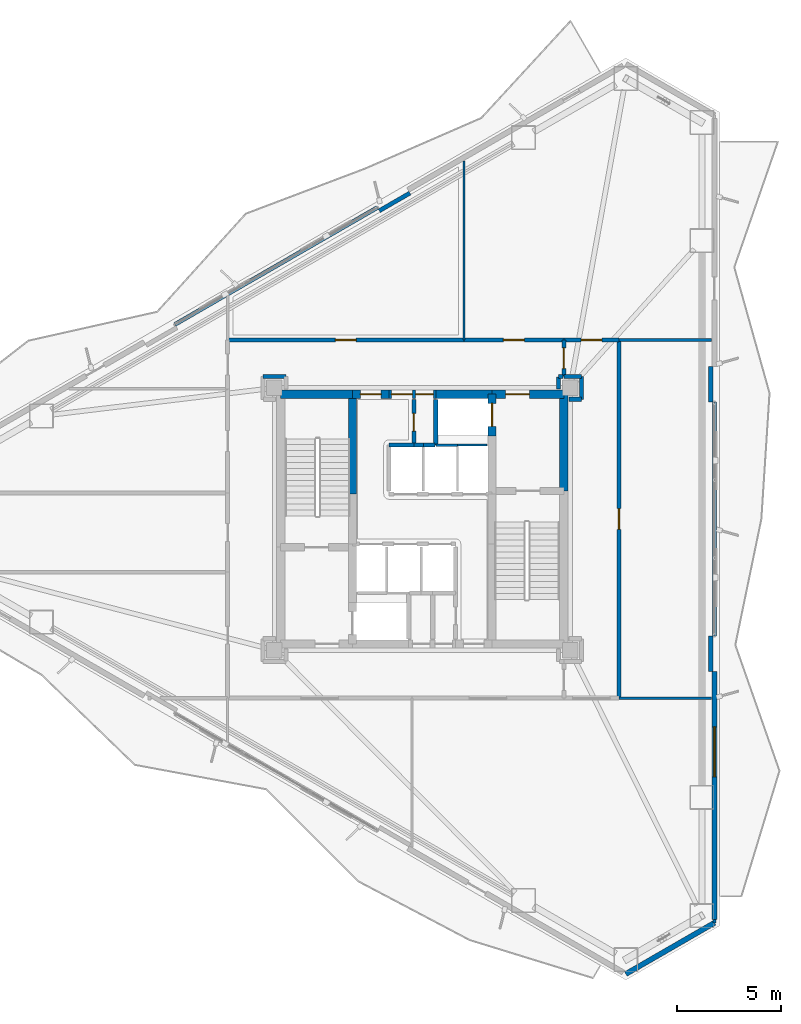
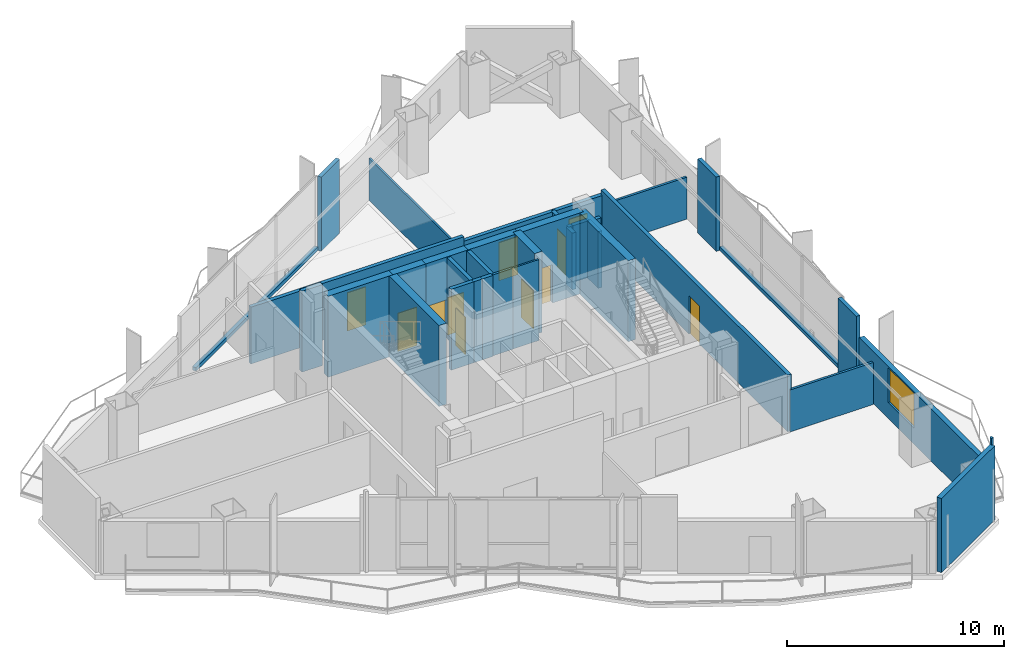
# One storey, part 16 of 20: 37 walls, 11 doors, 1 window, 12 openings.
"""IFC4 building model written with IfcOpenShell, lengths in metres."""

from ifc_helpers import new_model, si_unit, direction, frame, frame_2d, origin, place, context, subcontext, project, spatial, rectangle, extrude, material, layer, layer_set, type_object, element, fill, save


model = new_model("IFC4")

# Units and contexts
model_context = context("Model", 3, precision=1e-05, world=origin(), true_north=direction((0.0, 1.0)))
body_context = subcontext(model_context, "Body", "Model", "MODEL_VIEW")
ifc_project = project(units=[si_unit("LENGTHUNIT", "METRE"), si_unit("AREAUNIT", "SQUARE_METRE"), si_unit("VOLUMEUNIT", "CUBIC_METRE"), si_unit("PLANEANGLEUNIT", "RADIAN"), si_unit("MASSUNIT", "GRAM", prefix="KILO")], contexts=[model_context])

# Site, building, storey
site_placement = place(None, origin())
site = spatial("IfcSite", under=ifc_project, at=site_placement, CompositionType="ELEMENT")
building_placement = place(site_placement, origin())
building = spatial("IfcBuilding", under=site, at=building_placement, Name="Mersakhor Tower and Convention Hall", CompositionType="ELEMENT")
storey_placement = place(building_placement, frame((0.0, 0.0, 116.39990234375)))
storey = spatial("IfcBuildingStorey", under=building, at=storey_placement, Name="L32", CompositionType="ELEMENT", Elevation=116.39990234375)

# Wall
ifc_material_1 = material(Name="Precast concrete C40/50", Category="concrete")
ifc_layer_1 = layer(ifc_material_1, 0.25)
ifc_layer_set_1 = layer_set([ifc_layer_1], Name="Precast concrete C40/50")
wall_type_1 = type_object("IfcWallType", Name="WL-EXT-250", PredefinedType="SOLIDWALL", material=ifc_layer_set_1)
wall_1_placement = place(storey_placement, frame((43.03466796875, 7.355712890625, 0.0), z_axis=(0.0, 0.0, 1.0), x_axis=(-0.866011848704, -0.500023477353, 0.0)))
element("IfcWall", 1, at=wall_1_placement, inside=storey, type_object=wall_type_1, Name="L32 Chamfer Braced Spandrel Wall C2", PredefinedType="SOLIDWALL", context=body_context, shape_type="SweptSolid", body=[
    extrude(rectangle(XDim=4.914306640625, YDim=0.25, at=frame_2d((2.45703125, 0.0))), origin(), (0.0, 0.0, 1.0), 4.18017578125),
])

# Wall, opening, window
wall_2_placement = place(storey_placement, frame((43.03466796875, 19.435302734375, 0.0), z_axis=(0.0, 0.0, 1.0), x_axis=(0.0, -1.0, 0.0)))
wall_2 = element("IfcWall", 2, at=wall_2_placement, inside=storey, type_object=wall_type_1, Name="L32 Exterior Facade Wall F2-B3", PredefinedType="SOLIDWALL", context=body_context, shape_type="SweptSolid", body=[
    extrude(rectangle(XDim=11.9296875, YDim=0.25, at=frame_2d((5.96484375, 0.0))), origin(), (0.0, 0.0, 1.0), 2.945068359375),
])
opening_1_placement = place(wall_2_placement, frame((2.66796875, 0.0, 0.89990234375)))
opening_1 = element("IfcOpeningElement", 3, at=opening_1_placement, cuts=wall_2, Name="Opening W-09", PredefinedType="OPENING", context=body_context, shape_type="SweptSolid", body=[
    extrude(rectangle(XDim=2.39990234375, YDim=1.9599609375, at=frame_2d((1.199951171875, 0.97998046875))), frame((0.0, 0.135009765625, 0.0), z_axis=(0.0, -1.0, 0.0), x_axis=(1.0, 0.0, 0.0)), (0.0, 0.0, 1.0), 0.27001953125),
])
ifc_material_2 = material(Name="Dark solar low-E glazed aluminium window", Category="aluminium")
window_type = type_object("IfcWindowType", Name="WN-COM-240x220", PartitioningType="SINGLE_PANEL", PredefinedType="WINDOW", material=ifc_material_2)
window_placement = place(opening_1_placement, origin())
window = element("IfcWindow", 4, at=window_placement, inside=storey, type_object=window_type, Name="L32 Facade Punched Window F2-B3", OverallHeight=1.9599609375, OverallWidth=2.39990234375, PartitioningType="SINGLE_PANEL", PredefinedType="WINDOW", context=body_context, shape_type="SweptSolid", body=[
    extrude(rectangle(XDim=2.39990234375, YDim=1.9599609375, at=frame_2d((1.199951171875, 0.97998046875))), frame((0.0, 0.030029296875, 0.0), z_axis=(0.0, -1.0, 0.0), x_axis=(1.0, 0.0, 0.0)), (0.0, 0.0, 1.0), 0.06005859375),
])
fill(opening_1, window)

# Walls
ifc_material_3 = material(Name="Precast concrete C40/50", Category="concrete")
ifc_layer_2 = layer(ifc_material_3, 0.199951171875)
ifc_layer_set_2 = layer_set([ifc_layer_2], Name="Precast concrete C40/50")
wall_type_2 = type_object("IfcWallType", Name="WL-PAR-200", PredefinedType="PARAPET", material=ifc_layer_set_2)
wall_3_placement = place(storey_placement, frame((17.1201171875, 36.096923828125, 0.0), z_axis=(0.0, 0.0, 1.0), x_axis=(0.866027010039, 0.499997217876, 0.0)))
element("IfcWall", 5, at=wall_3_placement, inside=storey, type_object=wall_type_2, Name="L32 Curtain Wall Upstand Sill F1-B2", PredefinedType="PARAPET", context=body_context, shape_type="SweptSolid", body=[
    extrude(rectangle(XDim=11.2294921875, YDim=0.199951171875, at=frame_2d((5.61474609375, 0.0))), origin(), (0.0, 0.0, 1.0), 0.2001953125),
])
wall_4_placement = place(storey_placement, frame((26.935302734375, 41.555908203125, 0.0), z_axis=(0.0, 0.0, 1.0), x_axis=(0.86605165483, 0.499954529098, 0.0)))
element("IfcWall", 6, at=wall_4_placement, inside=storey, type_object=wall_type_2, Name="L32 Column Pier Cladding Wall F1-C2", PredefinedType="PARAPET", context=body_context, shape_type="SweptSolid", body=[
    extrude(rectangle(XDim=1.699951171875, YDim=0.199951171875, at=frame_2d((0.85009765625, 0.0))), origin(), (0.0, 0.0, 1.0), 4.18017578125),
])
wall_5_placement = place(storey_placement, frame((43.03466796875, 32.36474609375, 0.0), z_axis=(0.0, 0.0, 1.0), x_axis=(0.0, -1.0, 0.0)))
element("IfcWall", 7, at=wall_5_placement, inside=storey, type_object=wall_type_2, Name="L32 Curtain Wall Upstand Sill F2-B2", PredefinedType="PARAPET", context=body_context, shape_type="SweptSolid", body=[
    extrude(rectangle(XDim=11.2294921875, YDim=0.199951171875, at=frame_2d((5.61474609375, 0.0))), origin(), (0.0, 0.0, 1.0), 0.2001953125),
])
for number, where, z_axis, x_axis, name in (
    (8, (42.8544921875, 34.064697265625, 0.0), (0.0, 0.0, 1.0), (0.0, -1.0, 0.0), "L32 Column Pier Cladding Wall F2-C1"),
    (9, (42.8544921875, 21.13525390625, 0.0), (0.0, 0.0, 1.0), (0.0, -1.0, 0.0), "L32 Column Pier Cladding Wall F2-C2"),
):
    element("IfcWall", number, at=place(storey_placement, frame(where, z_axis=z_axis, x_axis=x_axis)), inside=storey, type_object=wall_type_2, Name=name, PredefinedType="PARAPET", context=body_context, shape_type="SweptSolid", body=[
        extrude(rectangle(XDim=1.699951171875, YDim=0.199951171875, at=frame_2d((0.85009765625, 0.0))), origin(), (0.0, 0.0, 1.0), 4.18017578125),
    ])
ifc_material_4 = material(Name="Lightweight gypsum partition", Category="other")
ifc_layer_3 = layer(ifc_material_4, 0.10009765625)
ifc_layer_set_3 = layer_set([ifc_layer_3], Name="Lightweight gypsum partition")
wall_type_3 = type_object("IfcWallType", Name="WL-PRT-100", PredefinedType="PARTITIONING", material=ifc_layer_set_3)
wall_6_placement = place(storey_placement, frame((32.10009765625, 30.300048828125, 0.0), z_axis=(0.0, 0.0, 1.0), x_axis=(-1.0, 0.0, 0.0)))
element("IfcWall", 10, at=wall_6_placement, inside=storey, type_object=wall_type_3, Name="L32 Interior Partition Wall P-004", PredefinedType="PARTITIONING", context=body_context, shape_type="SweptSolid", body=[
    extrude(rectangle(XDim=1.400146484375, YDim=0.10009765625, at=frame_2d((0.7001953125, 0.0))), origin(), (0.0, 0.0, 1.0), 4.56005859375),
])
wall_7_placement = place(storey_placement, frame((31.0, 43.9384765625, 0.0), z_axis=(0.0, 0.0, 1.0), x_axis=(0.0, -1.0, 0.0)))
element("IfcWall", 11, at=wall_7_placement, inside=storey, type_object=wall_type_3, Name="L32 Interior Partition Wall P-058", PredefinedType="PARTITIONING", context=body_context, shape_type="SweptSolid", body=[
    extrude(rectangle(XDim=8.58837890625, YDim=0.10009765625, at=frame_2d((4.294189453125, 0.0))), origin(), (0.0, 0.0, 1.0), 2.364990234375),
])
ifc_material_5 = material(Name="Gypsum board acoustic partition", Category="other")
ifc_layer_4 = layer(ifc_material_5, 0.125)
ifc_layer_set_4 = layer_set([ifc_layer_4], Name="Gypsum board acoustic partition")
wall_type_4 = type_object("IfcWallType", Name="WL-PRT-125", PredefinedType="PARTITIONING", material=ifc_layer_set_4)
wall_8_placement = place(storey_placement, frame((30.699951171875, 30.300048828125, 0.0), z_axis=(0.0, 0.0, 1.0), x_axis=(-1.0, 0.0, 0.0)))
element("IfcWall", 12, at=wall_8_placement, inside=storey, type_object=wall_type_4, Name="L32 Interior Partition Wall P-005", PredefinedType="PARTITIONING", context=body_context, shape_type="SweptSolid", body=[
    extrude(rectangle(XDim=1.050048828125, YDim=0.125, at=frame_2d((0.52490234375, 0.0))), origin(), (0.0, 0.0, 1.0), 4.56005859375),
])
for number, where, z_axis, x_axis, name in (
    (13, (42.885498046875, 35.35009765625, 0.0), (0.0, 0.0, 1.0), (-1.0, 0.0, 0.0), "L32 Interior Partition Wall P-059"),
    (14, (42.885498046875, 18.14990234375, 0.0), (0.0, 0.0, 1.0), (-1.0, 0.0, 0.0), "L32 Interior Partition Wall P-061"),
):
    element("IfcWall", number, at=place(storey_placement, frame(where, z_axis=z_axis, x_axis=x_axis)), inside=storey, type_object=wall_type_4, Name=name, PredefinedType="PARTITIONING", context=body_context, shape_type="SweptSolid", body=[
        extrude(rectangle(XDim=4.435546875, YDim=0.125, at=frame_2d((2.2177734375, 0.0))), origin(), (0.0, 0.0, 1.0), 2.364990234375),
    ])
wall_9_placement = place(storey_placement, frame((43.034912109375, 7.505615234375, 0.0), z_axis=(0.0, 0.0, 1.0), x_axis=(0.0, -1.0, 0.0)))
element("IfcWall", 15, at=wall_9_placement, inside=storey, type_object=wall_type_4, Name="L32 Interior Partition Wall P-063", PredefinedType="PARTITIONING", context=body_context, shape_type="SweptSolid", body=[
    extrude(rectangle(XDim=0.149658203125, YDim=0.125, at=frame_2d((0.07470703125, 0.0))), origin(), (0.0, 0.0, 1.0), 4.56005859375),
])
ifc_material_6 = material(Name="Acoustic concrete blockwork and gypsum board", Category="masonry")
ifc_layer_5 = layer(ifc_material_6, 0.199951171875)
ifc_layer_set_5 = layer_set([ifc_layer_5], Name="Acoustic concrete blockwork and gypsum board")
wall_type_5 = type_object("IfcWallType", Name="WL-PRT-200", PredefinedType="PARTITIONING", material=ifc_layer_set_5)
wall_10_placement = place(storey_placement, frame((29.64990234375, 30.300048828125, 0.0), z_axis=(0.0, 0.0, 1.0), x_axis=(0.0, 1.0, 0.0)))
element("IfcWall", 16, at=wall_10_placement, inside=storey, type_object=wall_type_5, Name="L32 Interior Partition Wall P-006", PredefinedType="PARTITIONING", context=body_context, shape_type="SweptSolid", body=[
    extrude(rectangle(XDim=2.199951171875, YDim=0.199951171875, at=frame_2d((1.10009765625, 0.0))), origin(), (0.0, 0.0, 1.0), 4.56005859375),
])
wall_11_placement = place(storey_placement, frame((27.39990234375, 30.300048828125, 0.0), z_axis=(0.0, 0.0, 1.0), x_axis=(1.0, 0.0, 0.0)))
element("IfcWall", 17, at=wall_11_placement, inside=storey, type_object=wall_type_5, Name="L32 Interior Partition Wall P-013", PredefinedType="PARTITIONING", context=body_context, shape_type="SweptSolid", body=[
    extrude(rectangle(XDim=1.2001953125, YDim=0.199951171875, at=frame_2d((0.60009765625, 0.0))), origin(), (0.0, 0.0, 1.0), 4.56005859375),
])
wall_12_placement = place(storey_placement, frame((28.60009765625, 30.300048828125, 0.0), z_axis=(0.0, 0.0, 1.0), x_axis=(1.0, 0.0, 0.0)))
element("IfcWall", 18, at=wall_12_placement, inside=storey, type_object=wall_type_5, Name="L32 Interior Partition Wall P-014", PredefinedType="PARTITIONING", context=body_context, shape_type="SweptSolid", body=[
    extrude(rectangle(XDim=0.449951171875, YDim=0.199951171875, at=frame_2d((0.22509765625, 0.0))), origin(), (0.0, 0.0, 1.0), 4.56005859375),
])
wall_13_placement = place(storey_placement, frame((29.050048828125, 30.300048828125, 0.0), z_axis=(0.0, 0.0, 1.0), x_axis=(1.0, 0.0, 0.0)))
element("IfcWall", 19, at=wall_13_placement, inside=storey, type_object=wall_type_5, Name="L32 Interior Partition Wall P-017", PredefinedType="PARTITIONING", context=body_context, shape_type="SweptSolid", body=[
    extrude(rectangle(XDim=0.570068359375, YDim=0.199951171875, at=frame_2d((0.28515625, 0.0))), origin(), (0.0, 0.0, 1.0), 4.56005859375),
])

# Wall, opening, door
wall_14_placement = place(storey_placement, frame((28.60009765625, 32.5, 0.0), z_axis=(0.0, 0.0, 1.0), x_axis=(0.0, -1.0, 0.0)))
wall_14 = element("IfcWall", 20, at=wall_14_placement, inside=storey, type_object=wall_type_5, Name="L32 Interior Partition Wall P-020", PredefinedType="PARTITIONING", context=body_context, shape_type="SweptSolid", body=[
    extrude(rectangle(XDim=2.199951171875, YDim=0.199951171875, at=frame_2d((1.10009765625, 0.0))), origin(), (0.0, 0.0, 1.0), 4.56005859375),
])
opening_2_placement = place(wall_14_placement, frame((0.675048828125, 0.0, 0.0)))
opening_2 = element("IfcOpeningElement", 21, at=opening_2_placement, cuts=wall_14, Name="Opening SVD-01", PredefinedType="OPENING", context=body_context, shape_type="SweptSolid", body=[
    extrude(rectangle(XDim=0.85009765625, YDim=2.10009765625, at=frame_2d((0.425048828125, 1.050048828125))), frame((0.0, 0.10986328125, 0.0), z_axis=(0.0, -1.0, 0.0), x_axis=(1.0, 0.0, 0.0)), (0.0, 0.0, 1.0), 0.219970703125),
])
ifc_material_7 = material(Name="Fire-rated hardwood leaf and painted steel frame", Category="steel")
door_type_1 = type_object("IfcDoorType", Name="DR-INT-SVC-085x210", OperationType="NOTDEFINED", PredefinedType="DOOR", material=ifc_material_7)
door_1_placement = place(opening_2_placement, origin())
door_1 = element("IfcDoor", 22, at=door_1_placement, inside=storey, type_object=door_type_1, Name="L32 Central Passenger Lift Lobby to Cleaner Store Room Door", OperationType="SINGLE_SWING_LEFT", OverallHeight=2.10009765625, OverallWidth=0.85009765625, PredefinedType="DOOR", context=body_context, shape_type="SweptSolid", body=[
    extrude(rectangle(XDim=0.85009765625, YDim=2.10009765625, at=frame_2d((0.425048828125, 1.050048828125))), frame((0.0, 0.02490234375, 0.0), z_axis=(0.0, -1.0, 0.0), x_axis=(1.0, 0.0, 0.0)), (0.0, 0.0, 1.0), 0.050048828125),
])
fill(opening_2, door_1)

wall_15_placement = place(storey_placement, frame((19.64990234375, 35.35009765625, 0.0), z_axis=(0.0, 0.0, 1.0), x_axis=(1.0, 0.0, 0.0)))
wall_15 = element("IfcWall", 23, at=wall_15_placement, inside=storey, type_object=wall_type_5, Name="L32 Interior Partition Wall P-032", PredefinedType="PARTITIONING", context=body_context, shape_type="SweptSolid", body=[
    extrude(rectangle(XDim=11.35009765625, YDim=0.199951171875, at=frame_2d((5.675048828125, 0.0))), origin(), (0.0, 0.0, 1.0), 3.195068359375),
])
opening_3_placement = place(wall_15_placement, frame((5.175048828125, 0.0, 0.0)))
opening_3 = element("IfcOpeningElement", 24, at=opening_3_placement, cuts=wall_15, Name="Opening FD-01", PredefinedType="OPENING", context=body_context, shape_type="SweptSolid", body=[
    extrude(rectangle(XDim=1.0, YDim=2.14990234375, at=frame_2d((0.5, 1.074951171875))), frame((0.0, 0.10986328125, 0.0), z_axis=(0.0, -1.0, 0.0), x_axis=(1.0, 0.0, 0.0)), (0.0, 0.0, 1.0), 0.219970703125),
])
ifc_material_8 = material(Name="Fire-rated hardwood leaf and painted steel frame", Category="steel")
door_type_2 = type_object("IfcDoorType", Name="DR-INT-FLT-100x215", OperationType="NOTDEFINED", PredefinedType="DOOR", material=ifc_material_8)
door_2_placement = place(opening_3_placement, origin())
door_2 = element("IfcDoor", 25, at=door_2_placement, inside=storey, type_object=door_type_2, Name="L32 L32 Sky-Lobby Corridor to Sky-Lobby Transfer Arrival Concourse Door", OperationType="SINGLE_SWING_LEFT", OverallHeight=2.14990234375, OverallWidth=1.0, PredefinedType="DOOR", context=body_context, shape_type="SweptSolid", body=[
    extrude(rectangle(XDim=1.0, YDim=2.14990234375, at=frame_2d((0.5, 1.074951171875))), frame((0.0, 0.02490234375, 0.0), z_axis=(0.0, -1.0, 0.0), x_axis=(1.0, 0.0, 0.0)), (0.0, 0.0, 1.0), 0.050048828125),
])
fill(opening_3, door_2)

wall_16_placement = place(storey_placement, frame((31.0, 35.35009765625, 0.0), z_axis=(0.0, 0.0, 1.0), x_axis=(1.0, 0.0, 0.0)))
wall_16 = element("IfcWall", 26, at=wall_16_placement, inside=storey, type_object=wall_type_5, Name="L32 Interior Partition Wall P-033", PredefinedType="PARTITIONING", context=body_context, shape_type="SweptSolid", body=[
    extrude(rectangle(XDim=4.800048828125, YDim=0.199951171875, at=frame_2d((2.39990234375, 0.0))), origin(), (0.0, 0.0, 1.0), 2.945068359375),
])
opening_4_placement = place(wall_16_placement, frame((1.89990234375, 0.0, 0.0)))
opening_4 = element("IfcOpeningElement", 27, at=opening_4_placement, cuts=wall_16, Name="Opening FD-01", PredefinedType="OPENING", context=body_context, shape_type="SweptSolid", body=[
    extrude(rectangle(XDim=1.0, YDim=2.14990234375, at=frame_2d((0.5, 1.074951171875))), frame((0.0, 0.10986328125, 0.0), z_axis=(0.0, -1.0, 0.0), x_axis=(1.0, 0.0, 0.0)), (0.0, 0.0, 1.0), 0.219970703125),
])
door_3_placement = place(opening_4_placement, origin())
door_3 = element("IfcDoor", 28, at=door_3_placement, inside=storey, type_object=door_type_2, Name="L32 L32 Sky-Lobby Corridor to Co-Working Business Office 1 Door", OperationType="SINGLE_SWING_RIGHT", OverallHeight=2.14990234375, OverallWidth=1.0, PredefinedType="DOOR", context=body_context, shape_type="SweptSolid", body=[
    extrude(rectangle(XDim=1.0, YDim=2.14990234375, at=frame_2d((0.5, 1.074951171875))), frame((0.0, 0.02490234375, 0.0), z_axis=(0.0, -1.0, 0.0), x_axis=(1.0, 0.0, 0.0)), (0.0, 0.0, 1.0), 0.050048828125),
])
fill(opening_4, door_3)

wall_17_placement = place(storey_placement, frame((35.800048828125, 35.35009765625, 0.0), z_axis=(0.0, 0.0, 1.0), x_axis=(0.0, -1.0, 0.0)))
wall_17 = element("IfcWall", 29, at=wall_17_placement, inside=storey, type_object=wall_type_5, Name="L32 Interior Partition Wall P-034", PredefinedType="PARTITIONING", context=body_context, shape_type="SweptSolid", body=[
    extrude(rectangle(XDim=1.75, YDim=0.199951171875, at=frame_2d((0.875, 0.0))), origin(), (0.0, 0.0, 1.0), 2.945068359375),
])
opening_5_placement = place(wall_17_placement, frame((0.375, 0.0, 0.0)))
opening_5 = element("IfcOpeningElement", 30, at=opening_5_placement, cuts=wall_17, Name="Opening FD-01", PredefinedType="OPENING", context=body_context, shape_type="SweptSolid", body=[
    extrude(rectangle(XDim=1.0, YDim=2.14990234375, at=frame_2d((0.5, 1.074951171875))), frame((0.0, 0.10986328125, 0.0), z_axis=(0.0, -1.0, 0.0), x_axis=(1.0, 0.0, 0.0)), (0.0, 0.0, 1.0), 0.219970703125),
])
door_4_placement = place(opening_5_placement, origin())
door_4 = element("IfcDoor", 31, at=door_4_placement, inside=storey, type_object=door_type_2, Name="L32 Ring Corridor Fire Door", OperationType="SINGLE_SWING_LEFT", OverallHeight=2.14990234375, OverallWidth=1.0, PredefinedType="DOOR", context=body_context, shape_type="SweptSolid", body=[
    extrude(rectangle(XDim=1.0, YDim=2.14990234375, at=frame_2d((0.5, 1.074951171875))), frame((0.0, 0.02490234375, 0.0), z_axis=(0.0, -1.0, 0.0), x_axis=(1.0, 0.0, 0.0)), (0.0, 0.0, 1.0), 0.050048828125),
])
fill(opening_5, door_4)

# Walls
wall_18_placement = place(storey_placement, frame((35.77001953125, 33.60009765625, 0.0), z_axis=(0.0, 0.0, 1.0), x_axis=(-1.0, 0.0, 0.0)))
element("IfcWall", 32, at=wall_18_placement, inside=storey, type_object=wall_type_5, Name="L32 Interior Partition Wall P-035", PredefinedType="PARTITIONING", context=body_context, shape_type="SweptSolid", body=[
    extrude(rectangle(XDim=0.219970703125, YDim=0.199951171875, at=frame_2d((0.10986328125, 0.0))), origin(), (0.0, 0.0, 1.0), 3.195068359375),
])
wall_19_placement = place(storey_placement, frame((35.550048828125, 33.570068359375, 0.0), z_axis=(0.0, 0.0, 1.0), x_axis=(0.0, -1.0, 0.0)))
element("IfcWall", 33, at=wall_19_placement, inside=storey, type_object=wall_type_5, Name="L32 Interior Partition Wall P-036", PredefinedType="PARTITIONING", context=body_context, shape_type="SweptSolid", body=[
    extrude(rectangle(XDim=0.570068359375, YDim=0.199951171875, at=frame_2d((0.28515625, 0.0))), origin(), (0.0, 0.0, 1.0), 3.195068359375),
])
wall_20_placement = place(storey_placement, frame((22.449951171875, 33.60009765625, 0.0), z_axis=(0.0, 0.0, 1.0), x_axis=(-1.0, 0.0, 0.0)))
element("IfcWall", 34, at=wall_20_placement, inside=storey, type_object=wall_type_5, Name="L32 Interior Partition Wall P-038", PredefinedType="PARTITIONING", context=body_context, shape_type="SweptSolid", body=[
    extrude(rectangle(XDim=1.099853515625, YDim=0.199951171875, at=frame_2d((0.5498046875, 0.0))), origin(), (0.0, 0.0, 1.0), 4.56005859375),
])
wall_21_placement = place(storey_placement, frame((36.050048828125, 32.5, 0.0), z_axis=(0.0, 0.0, 1.0), x_axis=(1.0, 0.0, 0.0)))
element("IfcWall", 35, at=wall_21_placement, inside=storey, type_object=wall_type_5, Name="L32 Interior Partition Wall P-044", PredefinedType="PARTITIONING", context=body_context, shape_type="SweptSolid", body=[
    extrude(rectangle(XDim=0.599853515625, YDim=0.199951171875, at=frame_2d((0.2998046875, 0.0))), origin(), (0.0, 0.0, 1.0), 4.00830078125),
])
wall_22_placement = place(storey_placement, frame((36.64990234375, 32.5, 0.0), z_axis=(0.0, 0.0, 1.0), x_axis=(0.0, 1.0, 0.0)))
element("IfcWall", 36, at=wall_22_placement, inside=storey, type_object=wall_type_5, Name="L32 Interior Partition Wall P-045", PredefinedType="PARTITIONING", context=body_context, shape_type="SweptSolid", body=[
    extrude(rectangle(XDim=1.10009765625, YDim=0.199951171875, at=frame_2d((0.550048828125, 0.0))), origin(), (0.0, 0.0, 1.0), 3.195068359375),
])
wall_23_placement = place(storey_placement, frame((36.64990234375, 33.60009765625, 0.0), z_axis=(0.0, 0.0, 1.0), x_axis=(-1.0, 0.0, 0.0)))
element("IfcWall", 37, at=wall_23_placement, inside=storey, type_object=wall_type_5, Name="L32 Interior Partition Wall P-046", PredefinedType="PARTITIONING", context=body_context, shape_type="SweptSolid", body=[
    extrude(rectangle(XDim=0.849853515625, YDim=0.199951171875, at=frame_2d((0.4248046875, 0.0))), origin(), (0.0, 0.0, 1.0), 3.195068359375),
])

# Wall, opening, door
wall_24_placement = place(storey_placement, frame((35.800048828125, 35.35009765625, 0.0), z_axis=(0.0, 0.0, 1.0), x_axis=(1.0, 0.0, 0.0)))
wall_24 = element("IfcWall", 38, at=wall_24_placement, inside=storey, type_object=wall_type_5, Name="L32 Interior Partition Wall P-047", PredefinedType="PARTITIONING", context=body_context, shape_type="SweptSolid", body=[
    extrude(rectangle(XDim=2.64990234375, YDim=0.199951171875, at=frame_2d((1.324951171875, 0.0))), origin(), (0.0, 0.0, 1.0), 2.945068359375),
])
opening_6_placement = place(wall_24_placement, frame((0.824951171875, 0.0, 0.0)))
opening_6 = element("IfcOpeningElement", 39, at=opening_6_placement, cuts=wall_24, Name="Opening FD-01", PredefinedType="OPENING", context=body_context, shape_type="SweptSolid", body=[
    extrude(rectangle(XDim=1.0, YDim=2.14990234375, at=frame_2d((0.5, 1.074951171875))), frame((0.0, 0.10986328125, 0.0), z_axis=(0.0, -1.0, 0.0), x_axis=(1.0, 0.0, 0.0)), (0.0, 0.0, 1.0), 0.219970703125),
])
door_5_placement = place(opening_6_placement, origin())
door_5 = element("IfcDoor", 40, at=door_5_placement, inside=storey, type_object=door_type_2, Name="L32 L32 Sky-Lobby East Corridor to Co-Working Business Office 1 Door", OperationType="SINGLE_SWING_LEFT", OverallHeight=2.14990234375, OverallWidth=1.0, PredefinedType="DOOR", context=body_context, shape_type="SweptSolid", body=[
    extrude(rectangle(XDim=1.0, YDim=2.14990234375, at=frame_2d((0.5, 1.074951171875))), frame((0.0, 0.02490234375, 0.0), z_axis=(0.0, -1.0, 0.0), x_axis=(1.0, 0.0, 0.0)), (0.0, 0.0, 1.0), 0.050048828125),
])
fill(opening_6, door_5)

wall_25_placement = place(storey_placement, frame((38.449951171875, 35.35009765625, 0.0), z_axis=(0.0, 0.0, 1.0), x_axis=(0.0, -1.0, 0.0)))
wall_25 = element("IfcWall", 41, at=wall_25_placement, inside=storey, type_object=wall_type_5, Name="L32 Interior Partition Wall P-048", PredefinedType="PARTITIONING", context=body_context, shape_type="SweptSolid", body=[
    extrude(rectangle(XDim=17.2001953125, YDim=0.199951171875, at=frame_2d((8.60009765625, 0.0))), origin(), (0.0, 0.0, 1.0), 3.195068359375),
])
opening_7_placement = place(wall_25_placement, frame((8.10009765625, 0.0, 0.0)))
opening_7 = element("IfcOpeningElement", 42, at=opening_7_placement, cuts=wall_25, Name="Opening FD-01", PredefinedType="OPENING", context=body_context, shape_type="SweptSolid", body=[
    extrude(rectangle(XDim=1.0, YDim=2.14990234375, at=frame_2d((0.5, 1.074951171875))), frame((0.0, 0.10986328125, 0.0), z_axis=(0.0, -1.0, 0.0), x_axis=(1.0, 0.0, 0.0)), (0.0, 0.0, 1.0), 0.219970703125),
])
door_6_placement = place(opening_7_placement, origin())
door_6 = element("IfcDoor", 43, at=door_6_placement, inside=storey, type_object=door_type_2, Name="L32 L32 Sky-Lobby East Corridor to Co-Working Business Office 2 Door", OperationType="SINGLE_SWING_RIGHT", OverallHeight=2.14990234375, OverallWidth=1.0, PredefinedType="DOOR", context=body_context, shape_type="SweptSolid", body=[
    extrude(rectangle(XDim=1.0, YDim=2.14990234375, at=frame_2d((0.5, 1.074951171875))), frame((0.0, 0.02490234375, 0.0), z_axis=(0.0, -1.0, 0.0), x_axis=(1.0, 0.0, 0.0)), (0.0, 0.0, 1.0), 0.050048828125),
])
fill(opening_7, door_6)

# Wall
ifc_material_9 = material(Name="Concrete C60/75", Category="concrete")
ifc_layer_6 = layer(ifc_material_9, 0.39990234375)
ifc_layer_set_6 = layer_set([ifc_layer_6], Name="Concrete C60/75")
wall_type_6 = type_object("IfcWallType", Name="WL-SHR-400", PredefinedType="SHEAR", material=ifc_layer_set_6)
wall_26_placement = place(storey_placement, frame((22.199951171875, 32.75, 0.0), z_axis=(0.0, 0.0, 1.0), x_axis=(1.0, 0.0, 0.0)))
element("IfcWall", 44, at=wall_26_placement, inside=storey, type_object=wall_type_6, Name="L32 Core Wall CW-N1", PredefinedType="SHEAR", context=body_context, shape_type="SweptSolid", body=[
    extrude(rectangle(XDim=3.449951171875, YDim=0.39990234375, at=frame_2d((1.72509765625, 0.0))), origin(), (0.0, 0.0, 1.0), 4.56005859375),
])

# Wall, opening, door
wall_27_placement = place(storey_placement, frame((25.64990234375, 32.75, 0.0), z_axis=(0.0, 0.0, 1.0), x_axis=(1.0, 0.0, 0.0)))
wall_27 = element("IfcWall", 45, at=wall_27_placement, inside=storey, type_object=wall_type_6, Name="L32 Core Wall CW-N2A", PredefinedType="SHEAR", context=body_context, shape_type="SweptSolid", body=[
    extrude(rectangle(XDim=1.75, YDim=0.39990234375, at=frame_2d((0.875, 0.0))), origin(), (0.0, 0.0, 1.0), 4.56005859375),
])
opening_8_placement = place(wall_27_placement, frame((0.375, 0.0, 0.0)))
opening_8 = element("IfcOpeningElement", 46, at=opening_8_placement, cuts=wall_27, Name="Opening CFD-01", PredefinedType="OPENING", context=body_context, shape_type="SweptSolid", body=[
    extrude(rectangle(XDim=1.0, YDim=2.14990234375, at=frame_2d((0.5, 1.074951171875))), frame((0.0, 0.2099609375, 0.0), z_axis=(0.0, -1.0, 0.0), x_axis=(1.0, 0.0, 0.0)), (0.0, 0.0, 1.0), 0.419921875),
])
ifc_material_10 = material(Name="Fire-rated hardwood leaf and painted steel frame", Category="steel")
door_type_3 = type_object("IfcDoorType", Name="DR-CORE-FD-100x215", OperationType="NOTDEFINED", PredefinedType="DOOR", material=ifc_material_10)
door_7_placement = place(opening_8_placement, origin())
door_7 = element("IfcDoor", 47, at=door_7_placement, inside=storey, type_object=door_type_3, Name="L32 Lift Lobby North Corridor Door", OperationType="SINGLE_SWING_LEFT", OverallHeight=2.14990234375, OverallWidth=1.0, PredefinedType="DOOR", context=body_context, shape_type="SweptSolid", body=[
    extrude(rectangle(XDim=1.0, YDim=2.14990234375, at=frame_2d((0.5, 1.074951171875))), frame((0.0, 0.02490234375, 0.0), z_axis=(0.0, -1.0, 0.0), x_axis=(1.0, 0.0, 0.0)), (0.0, 0.0, 1.0), 0.050048828125),
])
fill(opening_8, door_7)

# Wall, openings, doors
wall_28_placement = place(storey_placement, frame((27.39990234375, 32.75, 0.0), z_axis=(0.0, 0.0, 1.0), x_axis=(1.0, 0.0, 0.0)))
wall_28 = element("IfcWall", 48, at=wall_28_placement, inside=storey, type_object=wall_type_6, Name="L32 Core Wall CW-N2B", PredefinedType="SHEAR", context=body_context, shape_type="SweptSolid", body=[
    extrude(rectangle(XDim=2.25, YDim=0.39990234375, at=frame_2d((1.125, 0.0))), origin(), (0.0, 0.0, 1.0), 4.56005859375),
])
opening_9_placement = place(wall_28_placement, frame((0.1201171875, 0.0, 0.0)))
opening_9 = element("IfcOpeningElement", 49, at=opening_9_placement, cuts=wall_28, Name="Opening FD-01", PredefinedType="OPENING", context=body_context, shape_type="SweptSolid", body=[
    extrude(rectangle(XDim=1.0, YDim=2.14990234375, at=frame_2d((0.5, 1.074951171875))), frame((0.0, 0.2099609375, 0.0), z_axis=(0.0, -1.0, 0.0), x_axis=(1.0, 0.0, 0.0)), (0.0, 0.0, 1.0), 0.419921875),
])
opening_10_placement = place(wall_28_placement, frame((1.280029296875, 0.0, 0.0)))
opening_10 = element("IfcOpeningElement", 50, at=opening_10_placement, cuts=wall_28, Name="Opening SVD-01", PredefinedType="OPENING", context=body_context, shape_type="SweptSolid", body=[
    extrude(rectangle(XDim=0.85009765625, YDim=2.10009765625, at=frame_2d((0.425048828125, 1.050048828125))), frame((0.0, 0.2099609375, 0.0), z_axis=(0.0, -1.0, 0.0), x_axis=(1.0, 0.0, 0.0)), (0.0, 0.0, 1.0), 0.419921875),
])
door_8_placement = place(opening_9_placement, origin())
door_8 = element("IfcDoor", 51, at=door_8_placement, inside=storey, type_object=door_type_2, Name="L32 Central Passenger Lift Lobby to L32 Sky-Lobby Corridor Door", OperationType="SINGLE_SWING_LEFT", OverallHeight=2.14990234375, OverallWidth=1.0, PredefinedType="DOOR", context=body_context, shape_type="SweptSolid", body=[
    extrude(rectangle(XDim=1.0, YDim=2.14990234375, at=frame_2d((0.5, 1.074951171875))), frame((0.0, 0.02490234375, 0.0), z_axis=(0.0, -1.0, 0.0), x_axis=(1.0, 0.0, 0.0)), (0.0, 0.0, 1.0), 0.050048828125),
])
fill(opening_9, door_8)
door_9_placement = place(opening_10_placement, origin())
door_9 = element("IfcDoor", 52, at=door_9_placement, inside=storey, type_object=door_type_1, Name="L32 L32 Sky-Lobby Corridor to Cleaner Store Room Door", OperationType="SINGLE_SWING_RIGHT", OverallHeight=2.10009765625, OverallWidth=0.85009765625, PredefinedType="DOOR", context=body_context, shape_type="SweptSolid", body=[
    extrude(rectangle(XDim=0.85009765625, YDim=2.10009765625, at=frame_2d((0.425048828125, 1.050048828125))), frame((0.0, 0.02490234375, 0.0), z_axis=(0.0, -1.0, 0.0), x_axis=(1.0, 0.0, 0.0)), (0.0, 0.0, 1.0), 0.050048828125),
])
fill(opening_10, door_9)

# Wall
wall_29_placement = place(storey_placement, frame((29.64990234375, 32.75, 0.0), z_axis=(0.0, 0.0, 1.0), x_axis=(1.0, 0.0, 0.0)))
element("IfcWall", 53, at=wall_29_placement, inside=storey, type_object=wall_type_6, Name="L32 Core Wall CW-N3", PredefinedType="SHEAR", context=body_context, shape_type="SweptSolid", body=[
    extrude(rectangle(XDim=2.7001953125, YDim=0.39990234375, at=frame_2d((1.35009765625, 0.0))), origin(), (0.0, 0.0, 1.0), 4.56005859375),
])

# Wall, opening, door
wall_30_placement = place(storey_placement, frame((32.35009765625, 32.75, 0.0), z_axis=(0.0, 0.0, 1.0), x_axis=(1.0, 0.0, 0.0)))
wall_30 = element("IfcWall", 54, at=wall_30_placement, inside=storey, type_object=wall_type_6, Name="L32 Core Wall CW-N4", PredefinedType="SHEAR", context=body_context, shape_type="SweptSolid", body=[
    extrude(rectangle(XDim=3.449951171875, YDim=0.39990234375, at=frame_2d((1.72509765625, 0.0))), origin(), (0.0, 0.0, 1.0), 4.56005859375),
])
opening_11_placement = place(wall_30_placement, frame((0.64990234375, 0.0, 0.0)))
opening_11 = element("IfcOpeningElement", 55, at=opening_11_placement, cuts=wall_30, Name="Opening SD-01", PredefinedType="OPENING", context=body_context, shape_type="SweptSolid", body=[
    extrude(rectangle(XDim=1.14990234375, YDim=2.14990234375, at=frame_2d((0.574951171875, 1.074951171875))), frame((0.0, 0.2099609375, 0.0), z_axis=(0.0, -1.0, 0.0), x_axis=(1.0, 0.0, 0.0)), (0.0, 0.0, 1.0), 0.419921875),
])
ifc_material_11 = material(Name="Fire-rated hardwood leaf and painted steel frame", Category="steel")
door_type_4 = type_object("IfcDoorType", Name="DR-INT-STAIR-115x215", OperationType="NOTDEFINED", PredefinedType="DOOR", material=ifc_material_11)
door_10_placement = place(opening_11_placement, origin())
door_10 = element("IfcDoor", 56, at=door_10_placement, inside=storey, type_object=door_type_4, Name="L32 Firefighting Lobby East Fire Door", OperationType="SINGLE_SWING_RIGHT", OverallHeight=2.14990234375, OverallWidth=1.14990234375, PredefinedType="DOOR", context=body_context, shape_type="SweptSolid", body=[
    extrude(rectangle(XDim=1.14990234375, YDim=2.14990234375, at=frame_2d((0.574951171875, 1.074951171875))), frame((0.0, 0.02490234375, 0.0), z_axis=(0.0, -1.0, 0.0), x_axis=(1.0, 0.0, 0.0)), (0.0, 0.0, 1.0), 0.050048828125),
])
fill(opening_11, door_10)

# Walls
wall_31_placement = place(storey_placement, frame((35.800048828125, 32.75, 0.0), z_axis=(0.0, 0.0, 1.0), x_axis=(0.0, -1.0, 0.0)))
element("IfcWall", 57, at=wall_31_placement, inside=storey, type_object=wall_type_6, Name="L32 Core Wall CW-E1", PredefinedType="SHEAR", context=body_context, shape_type="SweptSolid", body=[
    extrude(rectangle(XDim=4.64990234375, YDim=0.39990234375, at=frame_2d((2.324951171875, 0.0))), origin(), (0.0, 0.0, 1.0), 4.56005859375),
])
wall_32_placement = place(storey_placement, frame((25.64990234375, 27.949951171875, 0.0), z_axis=(0.0, 0.0, 1.0), x_axis=(0.0, 1.0, 0.0)))
element("IfcWall", 58, at=wall_32_placement, inside=storey, type_object=wall_type_6, Name="L32 Core Wall CS-W-ST1", PredefinedType="SHEAR", context=body_context, shape_type="SweptSolid", body=[
    extrude(rectangle(XDim=4.800048828125, YDim=0.39990234375, at=frame_2d((2.39990234375, 0.0))), origin(), (0.0, 0.0, 1.0), 4.56005859375),
])

# Wall, opening, door
wall_33_placement = place(storey_placement, frame((32.35009765625, 30.75, 0.0), z_axis=(0.0, 0.0, 1.0), x_axis=(0.0, 1.0, 0.0)))
wall_33 = element("IfcWall", 59, at=wall_33_placement, inside=storey, type_object=wall_type_6, Name="L32 Core Wall CS-E-FFL", PredefinedType="SHEAR", context=body_context, shape_type="SweptSolid", body=[
    extrude(rectangle(XDim=2.0, YDim=0.39990234375, at=frame_2d((1.0, 0.0))), origin(), (0.0, 0.0, 1.0), 4.56005859375),
])
opening_12_placement = place(wall_33_placement, frame((0.449951171875, 0.0, 0.0)))
opening_12 = element("IfcOpeningElement", 60, at=opening_12_placement, cuts=wall_33, Name="Opening LD-FFL2", PredefinedType="OPENING", context=body_context, shape_type="SweptSolid", body=[
    extrude(rectangle(XDim=1.10009765625, YDim=2.14990234375, at=frame_2d((0.550048828125, 1.074951171875))), frame((0.0, 0.2099609375, 0.0), z_axis=(0.0, -1.0, 0.0), x_axis=(1.0, 0.0, 0.0)), (0.0, 0.0, 1.0), 0.419921875),
])
ifc_material_12 = material(Name="Fire-rated brushed stainless steel sliding landing door", Category="steel")
door_type_5 = type_object("IfcDoorType", Name="DR-LIFT-SLD-110x215", OperationType="NOTDEFINED", PredefinedType="DOOR", material=ifc_material_12)
door_11_placement = place(opening_12_placement, origin())
door_11 = element("IfcDoor", 61, at=door_11_placement, inside=storey, type_object=door_type_5, Name="L32 Firefighting Lift Landing Door LD-FFL2", OperationType="SLIDING_TO_LEFT", OverallHeight=2.14990234375, OverallWidth=1.10009765625, PredefinedType="DOOR", context=body_context, shape_type="SweptSolid", body=[
    extrude(rectangle(XDim=1.10009765625, YDim=2.14990234375, at=frame_2d((0.550048828125, 1.074951171875))), frame((0.0, 0.02490234375, 0.0), z_axis=(0.0, -1.0, 0.0), x_axis=(1.0, 0.0, 0.0)), (0.0, 0.0, 1.0), 0.050048828125),
])
fill(opening_12, door_11)

save(model, "model.ifc")
